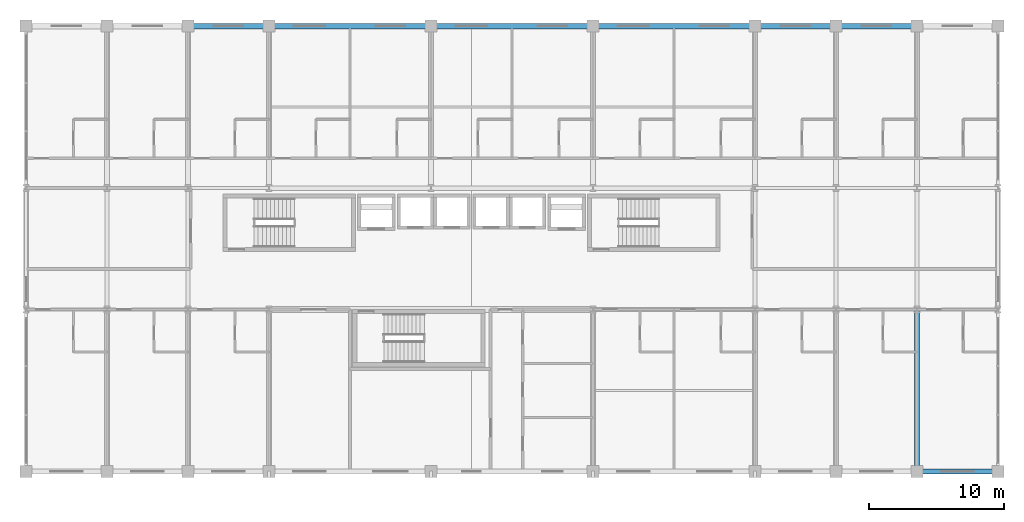
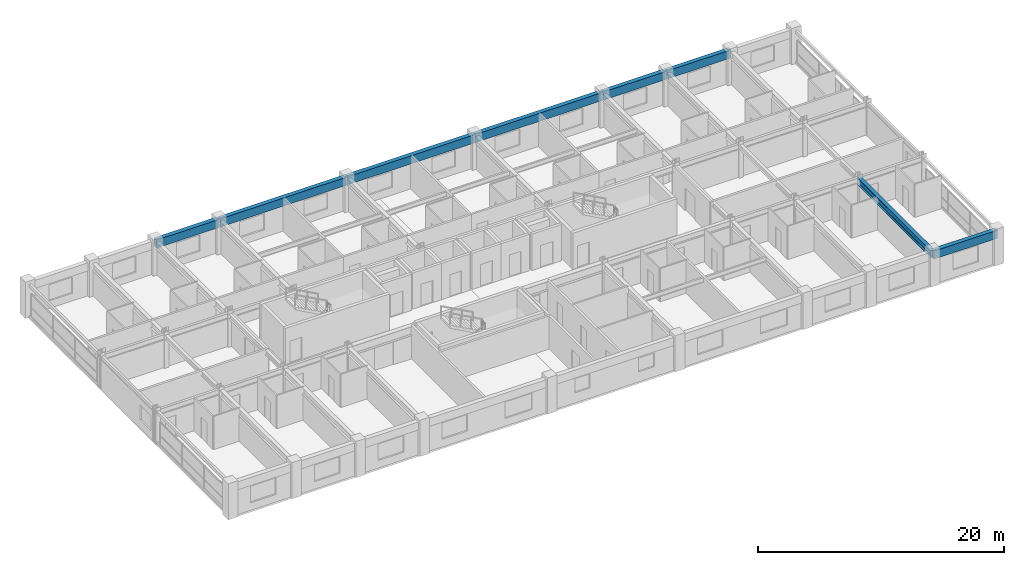
# One storey, part 11 of 22: 8 beams.
"""IFC4 building model written with IfcOpenShell, lengths in metres."""

from ifc_helpers import new_model, si_unit, direction, frame, origin, origin_2d, place, context, subcontext, project, spatial, rectangle, i_section, extrude, material, material_profile, profile_set, type_object, element, save


model = new_model("IFC4")

# Units and contexts
model_context = context("Model", 3, precision=1e-05, world=origin(), true_north=direction((0.0, 1.0)))
body_context = subcontext(model_context, "Body", "Model", "MODEL_VIEW")
ifc_project = project(units=[si_unit("LENGTHUNIT", "METRE"), si_unit("AREAUNIT", "SQUARE_METRE"), si_unit("VOLUMEUNIT", "CUBIC_METRE"), si_unit("PLANEANGLEUNIT", "RADIAN"), si_unit("MASSUNIT", "GRAM", prefix="KILO")], contexts=[model_context])

# Site, building, storey
site_placement = place(None, origin())
site = spatial("IfcSite", under=ifc_project, at=site_placement, CompositionType="ELEMENT")
building_placement = place(site_placement, origin())
building = spatial("IfcBuilding", under=site, at=building_placement, Name="Kaldorvane Square Convention Centre", CompositionType="ELEMENT")
storey_placement = place(building_placement, frame((0.0, 0.0, 31.199996948242188)))
storey = spatial("IfcBuildingStorey", under=building, at=storey_placement, Name="L06", CompositionType="ELEMENT", Elevation=31.199996948242188)

# Beams
ifc_material_1 = material(Name="Steel ASTM A992 Gr. 50", Category="steel")
ifc_material_profile_1 = material_profile(ifc_material_1, i_section(OverallWidth=0.354705810546875, OverallDepth=0.69549560546875, WebThickness=0.0153961181640625, FlangeThickness=0.0251007080078125, FilletRadius=0.01519775390625, at=origin_2d()), Name="W27X146")
ifc_profile_set_1 = profile_set([ifc_material_profile_1], Name="Steel ASTM A992 Gr. 50")
beam_type_1 = type_object("IfcBeamType", Name="BM-GR-W27X146", PredefinedType="BEAM", material=ifc_profile_set_1)
beam_placement = place(storey_placement, frame((90.0, 84.0, 2.938201904296875), z_axis=(0.0, 1.0, 0.0), x_axis=(-1.0, 0.0, 0.0)))
element("IfcBeam", 1, at=beam_placement, inside=storey, type_object=beam_type_1, Name="Transverse Girder (L06)", PredefinedType="BEAM", context=body_context, shape_type="SweptSolid", body=[
    extrude(i_section(OverallWidth=0.354705810546875, OverallDepth=0.69549560546875, WebThickness=0.0153961181640625, FlangeThickness=0.0251007080078125, FilletRadius=0.01519775390625, at=origin_2d()), origin(), (0.0, 0.0, 1.0), 12.0),
])
ifc_material_2 = material(Name="Concrete f'c = 42 MPa (Normalweight)", Category="concrete")
ifc_material_profile_2 = material_profile(ifc_material_2, rectangle(XDim=0.399993896484375, YDim=0.8000030517578125, at=origin_2d()), Name="RCSP800X400")
ifc_profile_set_2 = profile_set([ifc_material_profile_2], Name="Concrete f'c = 42 MPa (Normalweight)")
beam_type_2 = type_object("IfcBeamType", Name="BM-SP-RC800", PredefinedType="SPANDREL", material=ifc_profile_set_2)
for number, where, z_axis, x_axis, name in (
    (2, (90.0, 84.0, 2.8860015869140625), (1.0, 0.0, 0.0), (0.0, 1.0, 0.0), "Perimeter Spandrel (L06)"),
    (3, (36.0, 117.0, 2.8860015869140625), (1.0, 0.0, 0.0), (0.0, 1.0, 0.0), "Perimeter Spandrel (L06)"),
):
    element("IfcBeam", number, at=place(storey_placement, frame(where, z_axis=z_axis, x_axis=x_axis)), inside=storey, type_object=beam_type_2, Name=name, PredefinedType="SPANDREL", context=body_context, shape_type="SweptSolid", body=[
        extrude(rectangle(XDim=0.399993896484375, YDim=0.8000030517578125, at=origin_2d()), origin(), (0.0, 0.0, 1.0), 6.0),
    ])
for number, where, z_axis, x_axis, name in (
    (4, (42.0, 117.0, 2.8860015869140625), (1.0, 0.0, 0.0), (0.0, 1.0, 0.0), "Perimeter Spandrel (L06)"),
    (5, (54.0, 117.0, 2.8860015869140625), (1.0, 0.0, 0.0), (0.0, 1.0, 0.0), "Perimeter Spandrel (L06)"),
    (6, (66.0, 117.0, 2.8860015869140625), (1.0, 0.0, 0.0), (0.0, 1.0, 0.0), "Perimeter Spandrel (L06)"),
):
    element("IfcBeam", number, at=place(storey_placement, frame(where, z_axis=z_axis, x_axis=x_axis)), inside=storey, type_object=beam_type_2, Name=name, PredefinedType="SPANDREL", context=body_context, shape_type="SweptSolid", body=[
        extrude(rectangle(XDim=0.399993896484375, YDim=0.8000030517578125, at=origin_2d()), origin(), (0.0, 0.0, 1.0), 12.0),
    ])
for number, where, z_axis, x_axis, name in (
    (7, (78.0, 117.0, 2.8860015869140625), (1.0, 0.0, 0.0), (0.0, 1.0, 0.0), "Perimeter Spandrel (L06)"),
    (8, (84.0, 117.0, 2.8860015869140625), (1.0, 0.0, 0.0), (0.0, 1.0, 0.0), "Perimeter Spandrel (L06)"),
):
    element("IfcBeam", number, at=place(storey_placement, frame(where, z_axis=z_axis, x_axis=x_axis)), inside=storey, type_object=beam_type_2, Name=name, PredefinedType="SPANDREL", context=body_context, shape_type="SweptSolid", body=[
        extrude(rectangle(XDim=0.399993896484375, YDim=0.8000030517578125, at=origin_2d()), origin(), (0.0, 0.0, 1.0), 6.0),
    ])

save(model, "model.ifc")
